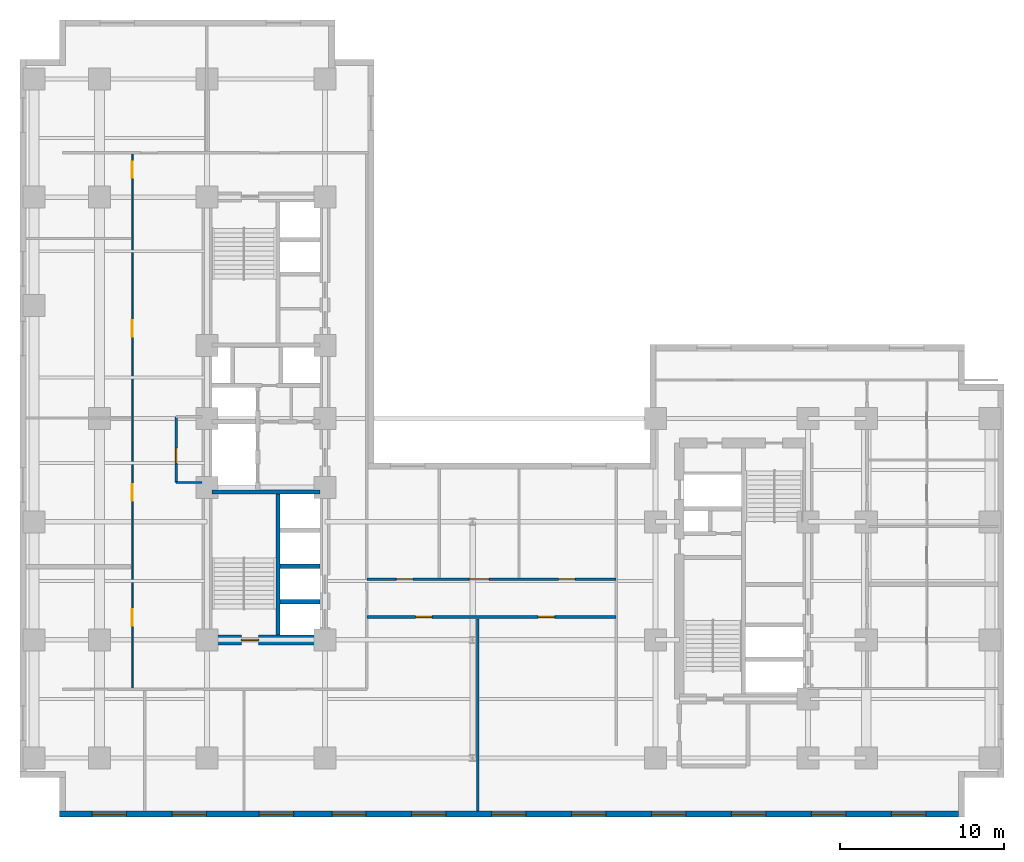
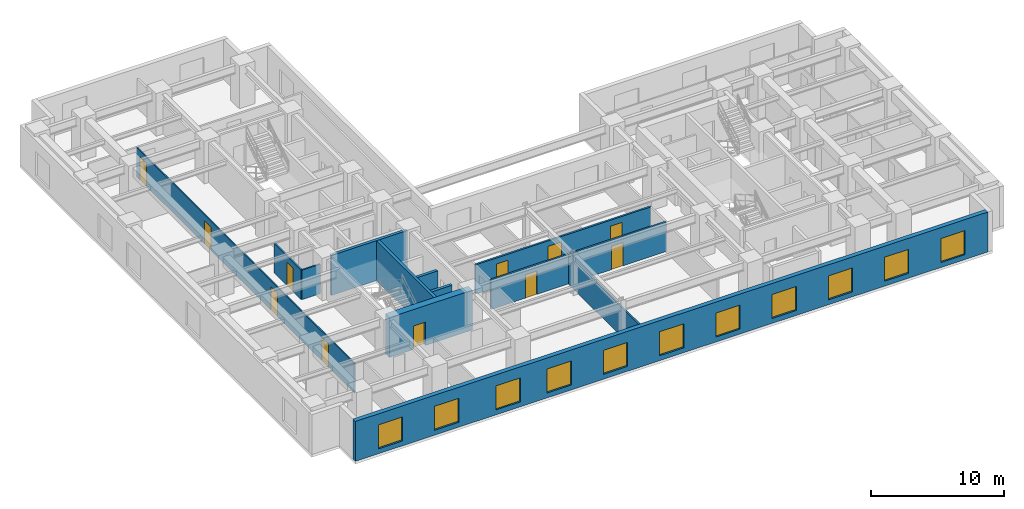
# One storey, part 3 of 10: 12 walls, 11 doors, 11 windows, 22 openings.
"""IFC4 building model written with IfcOpenShell, lengths in metres."""

from ifc_helpers import new_model, entity, si_unit, converted_unit, direction, frame, origin_with_axes, origin_2d_with_axis, place, context, subcontext, project, spatial, polyline, rectangle, outline, extrude, material, layer, layer_set, type_object, element, fill, save


model = new_model("IFC4")

# Units and contexts
model_context = context("Model", 3, precision=1e-05, world=origin_with_axes(), true_north=direction((0.0, 1.0)))
body_context = subcontext(model_context, "Body", "Model", "MODEL_VIEW")
ifc_project = project(units=[si_unit("LENGTHUNIT", "METRE"), si_unit("AREAUNIT", "SQUARE_METRE"), si_unit("VOLUMEUNIT", "CUBIC_METRE"), converted_unit("PLANEANGLEUNIT", "DEGREE", entity("IfcPlaneAngleMeasure", 0.017453292519943295), si_unit("PLANEANGLEUNIT", "RADIAN"), dimensions=[0, 0, 0, 0, 0, 0, 0]), si_unit("MASSUNIT", "GRAM", prefix="KILO"), si_unit("THERMODYNAMICTEMPERATUREUNIT", "KELVIN")], contexts=[model_context])

# Site, building, storey
site_placement = place(None, origin_with_axes())
site = spatial("IfcSite", under=ifc_project, at=site_placement, CompositionType="ELEMENT")
building_placement = place(site_placement, origin_with_axes())
building = spatial("IfcBuilding", under=site, at=building_placement, Name="Varnlund Millrace Tower", CompositionType="ELEMENT")
storey_placement = place(building_placement, frame((0.0, 0.0, 48.3), z_axis=(0.0, 0.0, 1.0), x_axis=(1.0, 0.0, 0.0)))
storey = spatial("IfcBuildingStorey", under=building, at=storey_placement, Name="L11", CompositionType="ELEMENT", Elevation=48.3)

# Wall, opening, door
ifc_material_1 = material(Name="Concrete C80/95", Category="concrete")
ifc_layer_1 = layer(ifc_material_1, 0.6, Name="Concrete C80/95")
ifc_layer_set_1 = layer_set([ifc_layer_1], Name="Concrete C80/95")
wall_type_1 = type_object("IfcWallType", Name="Type-CoreWall-Shear-600-C80", PredefinedType="SHEAR", material=ifc_layer_set_1)
wall_1_placement = place(storey_placement, frame((11.4, 10.8, 0.0), z_axis=(0.0, 0.0, 1.0), x_axis=(1.0, 0.0, 0.0)))
wall_1 = element("IfcWall", 1, at=wall_1_placement, inside=storey, type_object=wall_type_1, Name="Type-CoreWall-Shear-600-C80", PredefinedType="SHEAR", context=body_context, shape_type="SweptSolid", body=[
    extrude(outline(polyline([(0.0, -0.3), (7.2, -0.3), (7.2, 0.3), (0.0, 0.3), (0.0, -0.3)])), origin_with_axes(), (0.0, 0.0, 1.0), 3.66),
])
opening_1_placement = place(wall_1_placement, frame((2.625, 0.0, 0.0), z_axis=(0.0, 0.0, 1.0), x_axis=(1.0, 0.0, 0.0)))
opening_1 = element("IfcOpeningElement", 2, at=opening_1_placement, cuts=wall_1, Name="Opening L11:DR-STA1", PredefinedType="OPENING", context=body_context, shape_type="SweptSolid", body=[
    extrude(rectangle(XDim=1.05, YDim=0.62, at=origin_2d_with_axis()), origin_with_axes(), (0.0, 0.0, 1.0), 2.15),
])
ifc_material_2 = material(Name="Fire-rated hollow steel door", Category="steel")
door_type_1 = type_object("IfcDoorType", Name="Type-FireDoor-Stair-1050X2150", OperationType="NOTDEFINED", PredefinedType="DOOR", material=ifc_material_2)
door_1_placement = place(wall_1_placement, frame((2.625, 0.0, 0.0), z_axis=(0.0, 0.0, 1.0), x_axis=(1.0, 0.0, 0.0)))
door_1 = element("IfcDoor", 3, at=door_1_placement, inside=storey, type_object=door_type_1, Name="Type-FireDoor-Stair-1050X2150", OperationType="SINGLE_SWING_LEFT", OverallHeight=2.15, OverallWidth=1.05, PredefinedType="DOOR", context=body_context, shape_type="SweptSolid", body=[
    extrude(rectangle(XDim=1.05, YDim=0.09, at=origin_2d_with_axis()), origin_with_axes(), (0.0, 0.0, 1.0), 2.15),
])
fill(opening_1, door_1)

# Wall, openings, windows
ifc_material_3 = material(Name="Precast concrete C50/60", Category="concrete")
ifc_layer_2 = layer(ifc_material_3, 0.38, Name="Precast concrete C50/60")
ifc_layer_set_2 = layer_set([ifc_layer_2], Name="Precast concrete C50/60")
wall_type_2 = type_object("IfcWallType", Name="Type-ExtWall-Precast-Tube-380", PredefinedType="SOLIDWALL", material=ifc_layer_set_2)
wall_2_placement = place(storey_placement, frame((57.22, 0.19, 0.0), z_axis=(0.0, 0.0, 1.0), x_axis=(-1.0, 0.0, 0.0)))
wall_2 = element("IfcWall", 4, at=wall_2_placement, inside=storey, type_object=wall_type_2, Name="Type-ExtWall-Precast-Tube-380", PredefinedType="SOLIDWALL", context=body_context, shape_type="SweptSolid", body=[
    extrude(outline(polyline([(0.0, -0.19), (54.82, -0.19), (54.82, 0.19), (0.0, 0.19), (0.0, -0.19)])), origin_with_axes(), (0.0, 0.0, 1.0), 3.66),
])
opening_2_placement = place(wall_2_placement, frame((3.037, 0.0, 0.45), z_axis=(0.0, 0.0, 1.0), x_axis=(1.0, 0.0, 0.0)))
opening_2 = element("IfcOpeningElement", 5, at=opening_2_placement, cuts=wall_2, Name="Opening L11:WN-05", PredefinedType="OPENING", context=body_context, shape_type="SweptSolid", body=[
    extrude(rectangle(XDim=2.1, YDim=0.4, at=origin_2d_with_axis()), origin_with_axes(), (0.0, 0.0, 1.0), 2.2),
])
opening_3_placement = place(wall_2_placement, frame((7.912, 0.0, 0.45), z_axis=(0.0, 0.0, 1.0), x_axis=(1.0, 0.0, 0.0)))
opening_3 = element("IfcOpeningElement", 6, at=opening_3_placement, cuts=wall_2, Name="Opening L11:WN-06", PredefinedType="OPENING", context=body_context, shape_type="SweptSolid", body=[
    extrude(rectangle(XDim=2.1, YDim=0.4, at=origin_2d_with_axis()), origin_with_axes(), (0.0, 0.0, 1.0), 2.2),
])
opening_4_placement = place(wall_2_placement, frame((12.786, 0.0, 0.45), z_axis=(0.0, 0.0, 1.0), x_axis=(1.0, 0.0, 0.0)))
opening_4 = element("IfcOpeningElement", 7, at=opening_4_placement, cuts=wall_2, Name="Opening L11:WN-07", PredefinedType="OPENING", context=body_context, shape_type="SweptSolid", body=[
    extrude(rectangle(XDim=2.1, YDim=0.4, at=origin_2d_with_axis()), origin_with_axes(), (0.0, 0.0, 1.0), 2.2),
])
opening_5_placement = place(wall_2_placement, frame((17.661, 0.0, 0.45), z_axis=(0.0, 0.0, 1.0), x_axis=(1.0, 0.0, 0.0)))
opening_5 = element("IfcOpeningElement", 8, at=opening_5_placement, cuts=wall_2, Name="Opening L11:WN-08", PredefinedType="OPENING", context=body_context, shape_type="SweptSolid", body=[
    extrude(rectangle(XDim=2.1, YDim=0.4, at=origin_2d_with_axis()), origin_with_axes(), (0.0, 0.0, 1.0), 2.2),
])
opening_6_placement = place(wall_2_placement, frame((22.535, 0.0, 0.45), z_axis=(0.0, 0.0, 1.0), x_axis=(1.0, 0.0, 0.0)))
opening_6 = element("IfcOpeningElement", 9, at=opening_6_placement, cuts=wall_2, Name="Opening L11:WN-09", PredefinedType="OPENING", context=body_context, shape_type="SweptSolid", body=[
    extrude(rectangle(XDim=2.1, YDim=0.4, at=origin_2d_with_axis()), origin_with_axes(), (0.0, 0.0, 1.0), 2.2),
])
opening_7_placement = place(wall_2_placement, frame((27.41, 0.0, 0.45), z_axis=(0.0, 0.0, 1.0), x_axis=(1.0, 0.0, 0.0)))
opening_7 = element("IfcOpeningElement", 10, at=opening_7_placement, cuts=wall_2, Name="Opening L11:WN-10", PredefinedType="OPENING", context=body_context, shape_type="SweptSolid", body=[
    extrude(rectangle(XDim=2.1, YDim=0.4, at=origin_2d_with_axis()), origin_with_axes(), (0.0, 0.0, 1.0), 2.2),
])
opening_8_placement = place(wall_2_placement, frame((32.285, 0.0, 0.45), z_axis=(0.0, 0.0, 1.0), x_axis=(1.0, 0.0, 0.0)))
opening_8 = element("IfcOpeningElement", 11, at=opening_8_placement, cuts=wall_2, Name="Opening L11:WN-11", PredefinedType="OPENING", context=body_context, shape_type="SweptSolid", body=[
    extrude(rectangle(XDim=2.1, YDim=0.4, at=origin_2d_with_axis()), origin_with_axes(), (0.0, 0.0, 1.0), 2.2),
])
opening_9_placement = place(wall_2_placement, frame((37.159, 0.0, 0.45), z_axis=(0.0, 0.0, 1.0), x_axis=(1.0, 0.0, 0.0)))
opening_9 = element("IfcOpeningElement", 12, at=opening_9_placement, cuts=wall_2, Name="Opening L11:WN-12", PredefinedType="OPENING", context=body_context, shape_type="SweptSolid", body=[
    extrude(rectangle(XDim=2.1, YDim=0.4, at=origin_2d_with_axis()), origin_with_axes(), (0.0, 0.0, 1.0), 2.2),
])
opening_10_placement = place(wall_2_placement, frame((41.584, 0.0, 0.45), z_axis=(0.0, 0.0, 1.0), x_axis=(1.0, 0.0, 0.0)))
opening_10 = element("IfcOpeningElement", 13, at=opening_10_placement, cuts=wall_2, Name="Opening L11:WN-13", PredefinedType="OPENING", context=body_context, shape_type="SweptSolid", body=[
    extrude(rectangle(XDim=2.1, YDim=0.4, at=origin_2d_with_axis()), origin_with_axes(), (0.0, 0.0, 1.0), 2.2),
])
opening_11_placement = place(wall_2_placement, frame((46.908, 0.0, 0.45), z_axis=(0.0, 0.0, 1.0), x_axis=(1.0, 0.0, 0.0)))
opening_11 = element("IfcOpeningElement", 14, at=opening_11_placement, cuts=wall_2, Name="Opening L11:WN-14", PredefinedType="OPENING", context=body_context, shape_type="SweptSolid", body=[
    extrude(rectangle(XDim=2.1, YDim=0.4, at=origin_2d_with_axis()), origin_with_axes(), (0.0, 0.0, 1.0), 2.2),
])
opening_12_placement = place(wall_2_placement, frame((51.783, 0.0, 0.45), z_axis=(0.0, 0.0, 1.0), x_axis=(1.0, 0.0, 0.0)))
opening_12 = element("IfcOpeningElement", 15, at=opening_12_placement, cuts=wall_2, Name="Opening L11:WN-15", PredefinedType="OPENING", context=body_context, shape_type="SweptSolid", body=[
    extrude(rectangle(XDim=2.1, YDim=0.4, at=origin_2d_with_axis()), origin_with_axes(), (0.0, 0.0, 1.0), 2.2),
])
ifc_material_4 = material(Name="Argon low-e triple glazing in thermally broken bronze frame", Category="glass")
window_type = type_object("IfcWindowType", Name="Type-Window-Punched-2100X2200", PartitioningType="SINGLE_PANEL", PredefinedType="WINDOW", material=ifc_material_4)
window_1_placement = place(wall_2_placement, frame((3.037, 0.0, 0.45), z_axis=(0.0, 0.0, 1.0), x_axis=(1.0, 0.0, 0.0)))
window_1 = element("IfcWindow", 16, at=window_1_placement, inside=storey, type_object=window_type, Name="Type-Window-Punched-2100X2200", OverallHeight=2.2, OverallWidth=2.1, PredefinedType="WINDOW", context=body_context, shape_type="SweptSolid", body=[
    extrude(rectangle(XDim=2.1, YDim=0.09, at=origin_2d_with_axis()), origin_with_axes(), (0.0, 0.0, 1.0), 2.2),
])
fill(opening_2, window_1)
window_2_placement = place(wall_2_placement, frame((7.912, 0.0, 0.45), z_axis=(0.0, 0.0, 1.0), x_axis=(1.0, 0.0, 0.0)))
window_2 = element("IfcWindow", 17, at=window_2_placement, inside=storey, type_object=window_type, Name="Type-Window-Punched-2100X2200", OverallHeight=2.2, OverallWidth=2.1, PredefinedType="WINDOW", context=body_context, shape_type="SweptSolid", body=[
    extrude(rectangle(XDim=2.1, YDim=0.09, at=origin_2d_with_axis()), origin_with_axes(), (0.0, 0.0, 1.0), 2.2),
])
fill(opening_3, window_2)
window_3_placement = place(wall_2_placement, frame((12.786, 0.0, 0.45), z_axis=(0.0, 0.0, 1.0), x_axis=(1.0, 0.0, 0.0)))
window_3 = element("IfcWindow", 18, at=window_3_placement, inside=storey, type_object=window_type, Name="Type-Window-Punched-2100X2200", OverallHeight=2.2, OverallWidth=2.1, PredefinedType="WINDOW", context=body_context, shape_type="SweptSolid", body=[
    extrude(rectangle(XDim=2.1, YDim=0.09, at=origin_2d_with_axis()), origin_with_axes(), (0.0, 0.0, 1.0), 2.2),
])
fill(opening_4, window_3)
window_4_placement = place(wall_2_placement, frame((17.661, 0.0, 0.45), z_axis=(0.0, 0.0, 1.0), x_axis=(1.0, 0.0, 0.0)))
window_4 = element("IfcWindow", 19, at=window_4_placement, inside=storey, type_object=window_type, Name="Type-Window-Punched-2100X2200", OverallHeight=2.2, OverallWidth=2.1, PredefinedType="WINDOW", context=body_context, shape_type="SweptSolid", body=[
    extrude(rectangle(XDim=2.1, YDim=0.09, at=origin_2d_with_axis()), origin_with_axes(), (0.0, 0.0, 1.0), 2.2),
])
fill(opening_5, window_4)
window_5_placement = place(wall_2_placement, frame((22.535, 0.0, 0.45), z_axis=(0.0, 0.0, 1.0), x_axis=(1.0, 0.0, 0.0)))
window_5 = element("IfcWindow", 20, at=window_5_placement, inside=storey, type_object=window_type, Name="Type-Window-Punched-2100X2200", OverallHeight=2.2, OverallWidth=2.1, PredefinedType="WINDOW", context=body_context, shape_type="SweptSolid", body=[
    extrude(rectangle(XDim=2.1, YDim=0.09, at=origin_2d_with_axis()), origin_with_axes(), (0.0, 0.0, 1.0), 2.2),
])
fill(opening_6, window_5)
window_6_placement = place(wall_2_placement, frame((27.41, 0.0, 0.45), z_axis=(0.0, 0.0, 1.0), x_axis=(1.0, 0.0, 0.0)))
window_6 = element("IfcWindow", 21, at=window_6_placement, inside=storey, type_object=window_type, Name="Type-Window-Punched-2100X2200", OverallHeight=2.2, OverallWidth=2.1, PredefinedType="WINDOW", context=body_context, shape_type="SweptSolid", body=[
    extrude(rectangle(XDim=2.1, YDim=0.09, at=origin_2d_with_axis()), origin_with_axes(), (0.0, 0.0, 1.0), 2.2),
])
fill(opening_7, window_6)
window_7_placement = place(wall_2_placement, frame((32.285, 0.0, 0.45), z_axis=(0.0, 0.0, 1.0), x_axis=(1.0, 0.0, 0.0)))
window_7 = element("IfcWindow", 22, at=window_7_placement, inside=storey, type_object=window_type, Name="Type-Window-Punched-2100X2200", OverallHeight=2.2, OverallWidth=2.1, PredefinedType="WINDOW", context=body_context, shape_type="SweptSolid", body=[
    extrude(rectangle(XDim=2.1, YDim=0.09, at=origin_2d_with_axis()), origin_with_axes(), (0.0, 0.0, 1.0), 2.2),
])
fill(opening_8, window_7)
window_8_placement = place(wall_2_placement, frame((37.159, 0.0, 0.45), z_axis=(0.0, 0.0, 1.0), x_axis=(1.0, 0.0, 0.0)))
window_8 = element("IfcWindow", 23, at=window_8_placement, inside=storey, type_object=window_type, Name="Type-Window-Punched-2100X2200", OverallHeight=2.2, OverallWidth=2.1, PredefinedType="WINDOW", context=body_context, shape_type="SweptSolid", body=[
    extrude(rectangle(XDim=2.1, YDim=0.09, at=origin_2d_with_axis()), origin_with_axes(), (0.0, 0.0, 1.0), 2.2),
])
fill(opening_9, window_8)
window_9_placement = place(wall_2_placement, frame((41.584, 0.0, 0.45), z_axis=(0.0, 0.0, 1.0), x_axis=(1.0, 0.0, 0.0)))
window_9 = element("IfcWindow", 24, at=window_9_placement, inside=storey, type_object=window_type, Name="Type-Window-Punched-2100X2200", OverallHeight=2.2, OverallWidth=2.1, PredefinedType="WINDOW", context=body_context, shape_type="SweptSolid", body=[
    extrude(rectangle(XDim=2.1, YDim=0.09, at=origin_2d_with_axis()), origin_with_axes(), (0.0, 0.0, 1.0), 2.2),
])
fill(opening_10, window_9)
window_10_placement = place(wall_2_placement, frame((46.908, 0.0, 0.45), z_axis=(0.0, 0.0, 1.0), x_axis=(1.0, 0.0, 0.0)))
window_10 = element("IfcWindow", 25, at=window_10_placement, inside=storey, type_object=window_type, Name="Type-Window-Punched-2100X2200", OverallHeight=2.2, OverallWidth=2.1, PredefinedType="WINDOW", context=body_context, shape_type="SweptSolid", body=[
    extrude(rectangle(XDim=2.1, YDim=0.09, at=origin_2d_with_axis()), origin_with_axes(), (0.0, 0.0, 1.0), 2.2),
])
fill(opening_11, window_10)
window_11_placement = place(wall_2_placement, frame((51.783, 0.0, 0.45), z_axis=(0.0, 0.0, 1.0), x_axis=(1.0, 0.0, 0.0)))
window_11 = element("IfcWindow", 26, at=window_11_placement, inside=storey, type_object=window_type, Name="Type-Window-Punched-2100X2200", OverallHeight=2.2, OverallWidth=2.1, PredefinedType="WINDOW", context=body_context, shape_type="SweptSolid", body=[
    extrude(rectangle(XDim=2.1, YDim=0.09, at=origin_2d_with_axis()), origin_with_axes(), (0.0, 0.0, 1.0), 2.2),
])
fill(opening_12, window_11)

# Wall, openings, doors
ifc_material_5 = material(Name="Fire-rated gypsum board on cold-formed steel framing", Category="steel")
ifc_layer_3 = layer(ifc_material_5, 0.16, Name="Fire-rated gypsum board on cold-formed steel framing")
ifc_layer_set_3 = layer_set([ifc_layer_3], Name="Fire-rated gypsum board on cold-formed steel framing")
wall_type_3 = type_object("IfcWallType", Name="Type-Partition-Corridor-160", PredefinedType="PARTITIONING", material=ifc_layer_set_3)
wall_3_placement = place(storey_placement, frame((21.15, 12.2, 0.0), z_axis=(0.0, 0.0, 1.0), x_axis=(1.0, 0.0, 0.0)))
wall_3 = element("IfcWall", 27, at=wall_3_placement, inside=storey, type_object=wall_type_3, Name="Type-Partition-Corridor-160", PredefinedType="PARTITIONING", context=body_context, shape_type="SweptSolid", body=[
    extrude(outline(polyline([(0.0, -0.08), (15.2, -0.08), (15.2, 0.08), (0.0, 0.08), (0.0, -0.08)])), origin_with_axes(), (0.0, 0.0, 1.0), 2.7),
])
opening_13_placement = place(wall_3_placement, frame((3.4765, 0.0, 0.0), z_axis=(0.0, 0.0, 1.0), x_axis=(1.0, 0.0, 0.0)))
opening_13 = element("IfcOpeningElement", 28, at=opening_13_placement, cuts=wall_3, Name="Opening L11:DR-KNS-01", PredefinedType="OPENING", context=body_context, shape_type="SweptSolid", body=[
    extrude(rectangle(XDim=1.0, YDim=0.18, at=origin_2d_with_axis()), origin_with_axes(), (0.0, 0.0, 1.0), 2.15),
])
opening_14_placement = place(wall_3_placement, frame((10.9465, 0.0, 0.0), z_axis=(0.0, 0.0, 1.0), x_axis=(1.0, 0.0, 0.0)))
opening_14 = element("IfcOpeningElement", 29, at=opening_14_placement, cuts=wall_3, Name="Opening L11:DR-KNS-02", PredefinedType="OPENING", context=body_context, shape_type="SweptSolid", body=[
    extrude(rectangle(XDim=1.0, YDim=0.18, at=origin_2d_with_axis()), origin_with_axes(), (0.0, 0.0, 1.0), 2.15),
])
ifc_material_6 = material(Name="Solid-core white oak and bronze frame door")
door_type_2 = type_object("IfcDoorType", Name="Type-IntDoor-Office-1000X2150", OperationType="NOTDEFINED", PredefinedType="DOOR", material=ifc_material_6)
door_2_placement = place(wall_3_placement, frame((3.4765, 0.0, 0.0), z_axis=(0.0, 0.0, 1.0), x_axis=(1.0, 0.0, 0.0)))
door_2 = element("IfcDoor", 30, at=door_2_placement, inside=storey, type_object=door_type_2, Name="Type-IntDoor-Office-1000X2150", OperationType="SINGLE_SWING_LEFT", OverallHeight=2.15, OverallWidth=1.0, PredefinedType="DOOR", context=body_context, shape_type="SweptSolid", body=[
    extrude(rectangle(XDim=1.0, YDim=0.09, at=origin_2d_with_axis()), origin_with_axes(), (0.0, 0.0, 1.0), 2.15),
])
fill(opening_13, door_2)
door_3_placement = place(wall_3_placement, frame((10.9465, 0.0, 0.0), z_axis=(0.0, 0.0, 1.0), x_axis=(1.0, 0.0, 0.0)))
door_3 = element("IfcDoor", 31, at=door_3_placement, inside=storey, type_object=door_type_2, Name="Type-IntDoor-Office-1000X2150", OperationType="SINGLE_SWING_RIGHT", OverallHeight=2.15, OverallWidth=1.0, PredefinedType="DOOR", context=body_context, shape_type="SweptSolid", body=[
    extrude(rectangle(XDim=1.0, YDim=0.09, at=origin_2d_with_axis()), origin_with_axes(), (0.0, 0.0, 1.0), 2.15),
])
fill(opening_14, door_3)

wall_4_placement = place(storey_placement, frame((21.15, 14.5, 0.0), z_axis=(0.0, 0.0, 1.0), x_axis=(1.0, 0.0, 0.0)))
wall_4 = element("IfcWall", 32, at=wall_4_placement, inside=storey, type_object=wall_type_3, Name="Type-Partition-Corridor-160", PredefinedType="PARTITIONING", context=body_context, shape_type="SweptSolid", body=[
    extrude(outline(polyline([(0.0, -0.08), (15.2, -0.08), (15.2, 0.08), (0.0, 0.08), (0.0, -0.08)])), origin_with_axes(), (0.0, 0.0, 1.0), 2.7),
])
opening_15_placement = place(wall_4_placement, frame((2.3025, 0.0, 0.0), z_axis=(0.0, 0.0, 1.0), x_axis=(1.0, 0.0, 0.0)))
opening_15 = element("IfcOpeningElement", 33, at=opening_15_placement, cuts=wall_4, Name="Opening L11:DR-KN-01", PredefinedType="OPENING", context=body_context, shape_type="SweptSolid", body=[
    extrude(rectangle(XDim=1.0, YDim=0.18, at=origin_2d_with_axis()), origin_with_axes(), (0.0, 0.0, 1.0), 2.15),
])
opening_16_placement = place(wall_4_placement, frame((6.851, 0.0, 0.0), z_axis=(0.0, 0.0, 1.0), x_axis=(1.0, 0.0, 0.0)))
opening_16 = element("IfcOpeningElement", 34, at=opening_16_placement, cuts=wall_4, Name="Opening L11:DR-KN-02", PredefinedType="OPENING", context=body_context, shape_type="SweptSolid", body=[
    extrude(rectangle(XDim=1.2, YDim=0.18, at=origin_2d_with_axis()), origin_with_axes(), (0.0, 0.0, 1.0), 2.2),
])
opening_17_placement = place(wall_4_placement, frame((12.1985, 0.0, 0.0), z_axis=(0.0, 0.0, 1.0), x_axis=(1.0, 0.0, 0.0)))
opening_17 = element("IfcOpeningElement", 35, at=opening_17_placement, cuts=wall_4, Name="Opening L11:DR-KN-03", PredefinedType="OPENING", context=body_context, shape_type="SweptSolid", body=[
    extrude(rectangle(XDim=1.0, YDim=0.18, at=origin_2d_with_axis()), origin_with_axes(), (0.0, 0.0, 1.0), 2.15),
])
ifc_material_7 = material(Name="Wide executive white oak acoustic door")
door_type_3 = type_object("IfcDoorType", Name="Type-IntDoor-Exec-1200X2200", OperationType="NOTDEFINED", PredefinedType="DOOR", material=ifc_material_7)
door_4_placement = place(wall_4_placement, frame((6.851, 0.0, 0.0), z_axis=(0.0, 0.0, 1.0), x_axis=(1.0, 0.0, 0.0)))
door_4 = element("IfcDoor", 36, at=door_4_placement, inside=storey, type_object=door_type_3, Name="Type-IntDoor-Exec-1200X2200", OperationType="SINGLE_SWING_RIGHT", OverallHeight=2.2, OverallWidth=1.2, PredefinedType="DOOR", context=body_context, shape_type="SweptSolid", body=[
    extrude(rectangle(XDim=1.2, YDim=0.09, at=origin_2d_with_axis()), origin_with_axes(), (0.0, 0.0, 1.0), 2.2),
])
fill(opening_16, door_4)
door_5_placement = place(wall_4_placement, frame((2.3025, 0.0, 0.0), z_axis=(0.0, 0.0, 1.0), x_axis=(1.0, 0.0, 0.0)))
door_5 = element("IfcDoor", 37, at=door_5_placement, inside=storey, type_object=door_type_2, Name="Type-IntDoor-Office-1000X2150", OperationType="SINGLE_SWING_LEFT", OverallHeight=2.15, OverallWidth=1.0, PredefinedType="DOOR", context=body_context, shape_type="SweptSolid", body=[
    extrude(rectangle(XDim=1.0, YDim=0.09, at=origin_2d_with_axis()), origin_with_axes(), (0.0, 0.0, 1.0), 2.15),
])
fill(opening_15, door_5)
door_6_placement = place(wall_4_placement, frame((12.1985, 0.0, 0.0), z_axis=(0.0, 0.0, 1.0), x_axis=(1.0, 0.0, 0.0)))
door_6 = element("IfcDoor", 38, at=door_6_placement, inside=storey, type_object=door_type_2, Name="Type-IntDoor-Office-1000X2150", OperationType="SINGLE_SWING_LEFT", OverallHeight=2.15, OverallWidth=1.0, PredefinedType="DOOR", context=body_context, shape_type="SweptSolid", body=[
    extrude(rectangle(XDim=1.0, YDim=0.09, at=origin_2d_with_axis()), origin_with_axes(), (0.0, 0.0, 1.0), 2.15),
])
fill(opening_17, door_6)

# Wall
ifc_material_8 = material(Name="Acoustic STC-50 gypsum board partition", Category="gypsum")
ifc_layer_4 = layer(ifc_material_8, 0.15, Name="Acoustic STC-50 gypsum board partition")
ifc_layer_set_4 = layer_set([ifc_layer_4], Name="Acoustic STC-50 gypsum board partition")
wall_type_4 = type_object("IfcWallType", Name="Type-Partition-Demising-150", PredefinedType="PARTITIONING", material=ifc_layer_set_4)
wall_5_placement = place(storey_placement, frame((27.923, 0.36, 0.0), z_axis=(0.0, 0.0, 1.0), x_axis=(0.0, 1.0, 0.0)))
element("IfcWall", 39, at=wall_5_placement, inside=storey, type_object=wall_type_4, Name="Type-Partition-Demising-150", PredefinedType="PARTITIONING", context=body_context, shape_type="SweptSolid", body=[
    extrude(outline(polyline([(0.0, -0.075), (11.72, -0.075), (11.72, 0.075), (0.0, 0.075), (0.0, -0.075)])), origin_with_axes(), (0.0, 0.0, 1.0), 2.7),
])

# Wall, openings, doors
ifc_material_9 = material(Name="Architectural bronze and acoustic glass office front", Category="glass")
ifc_layer_5 = layer(ifc_material_9, 0.1, Name="Architectural bronze and acoustic glass office front")
ifc_layer_set_5 = layer_set([ifc_layer_5], Name="Architectural bronze and acoustic glass office front")
wall_type_5 = type_object("IfcWallType", Name="Type-Partition-Glazed-100", PredefinedType="PARTITIONING", material=ifc_layer_set_5)
wall_6_placement = place(storey_placement, frame((6.85, 7.8, 0.0), z_axis=(0.0, 0.0, 1.0), x_axis=(0.0, 1.0, 0.0)))
wall_6 = element("IfcWall", 40, at=wall_6_placement, inside=storey, type_object=wall_type_5, Name="Type-Partition-Glazed-100", PredefinedType="PARTITIONING", context=body_context, shape_type="SweptSolid", body=[
    extrude(outline(polyline([(0.0, -0.05), (32.7, -0.05), (32.7, 0.05), (0.0, 0.05), (0.0, -0.05)])), origin_with_axes(), (0.0, 0.0, 1.0), 2.7),
])
opening_18_placement = place(wall_6_placement, frame((4.357, 0.0, 0.0), z_axis=(0.0, 0.0, 1.0), x_axis=(1.0, 0.0, 0.0)))
opening_18 = element("IfcOpeningElement", 41, at=opening_18_placement, cuts=wall_6, Name="Opening L11:DR-W-01", PredefinedType="OPENING", context=body_context, shape_type="SweptSolid", body=[
    extrude(rectangle(XDim=1.0, YDim=0.12, at=origin_2d_with_axis()), origin_with_axes(), (0.0, 0.0, 1.0), 2.15),
])
opening_19_placement = place(wall_6_placement, frame((11.996, 0.0, 0.0), z_axis=(0.0, 0.0, 1.0), x_axis=(1.0, 0.0, 0.0)))
opening_19 = element("IfcOpeningElement", 42, at=opening_19_placement, cuts=wall_6, Name="Opening L11:DR-W-02", PredefinedType="OPENING", context=body_context, shape_type="SweptSolid", body=[
    extrude(rectangle(XDim=1.0, YDim=0.12, at=origin_2d_with_axis()), origin_with_axes(), (0.0, 0.0, 1.0), 2.15),
])
opening_20_placement = place(wall_6_placement, frame((21.9995, 0.0, 0.0), z_axis=(0.0, 0.0, 1.0), x_axis=(1.0, 0.0, 0.0)))
opening_20 = element("IfcOpeningElement", 43, at=opening_20_placement, cuts=wall_6, Name="Opening L11:DR-W-03", PredefinedType="OPENING", context=body_context, shape_type="SweptSolid", body=[
    extrude(rectangle(XDim=1.0, YDim=0.12, at=origin_2d_with_axis()), origin_with_axes(), (0.0, 0.0, 1.0), 2.15),
])
opening_21_placement = place(wall_6_placement, frame((31.67, 0.0, 0.0), z_axis=(0.0, 0.0, 1.0), x_axis=(1.0, 0.0, 0.0)))
opening_21 = element("IfcOpeningElement", 44, at=opening_21_placement, cuts=wall_6, Name="Opening L11:DR-W-04", PredefinedType="OPENING", context=body_context, shape_type="SweptSolid", body=[
    extrude(rectangle(XDim=1.0, YDim=0.12, at=origin_2d_with_axis()), origin_with_axes(), (0.0, 0.0, 1.0), 2.15),
])
door_7_placement = place(wall_6_placement, frame((4.357, 0.0, 0.0), z_axis=(0.0, 0.0, 1.0), x_axis=(1.0, 0.0, 0.0)))
door_7 = element("IfcDoor", 45, at=door_7_placement, inside=storey, type_object=door_type_2, Name="Type-IntDoor-Office-1000X2150", OperationType="SINGLE_SWING_LEFT", OverallHeight=2.15, OverallWidth=1.0, PredefinedType="DOOR", context=body_context, shape_type="SweptSolid", body=[
    extrude(rectangle(XDim=1.0, YDim=0.06, at=origin_2d_with_axis()), origin_with_axes(), (0.0, 0.0, 1.0), 2.15),
])
fill(opening_18, door_7)
door_8_placement = place(wall_6_placement, frame((11.996, 0.0, 0.0), z_axis=(0.0, 0.0, 1.0), x_axis=(1.0, 0.0, 0.0)))
door_8 = element("IfcDoor", 46, at=door_8_placement, inside=storey, type_object=door_type_2, Name="Type-IntDoor-Office-1000X2150", OperationType="SINGLE_SWING_RIGHT", OverallHeight=2.15, OverallWidth=1.0, PredefinedType="DOOR", context=body_context, shape_type="SweptSolid", body=[
    extrude(rectangle(XDim=1.0, YDim=0.06, at=origin_2d_with_axis()), origin_with_axes(), (0.0, 0.0, 1.0), 2.15),
])
fill(opening_19, door_8)
door_9_placement = place(wall_6_placement, frame((21.9995, 0.0, 0.0), z_axis=(0.0, 0.0, 1.0), x_axis=(1.0, 0.0, 0.0)))
door_9 = element("IfcDoor", 47, at=door_9_placement, inside=storey, type_object=door_type_2, Name="Type-IntDoor-Office-1000X2150", OperationType="SINGLE_SWING_LEFT", OverallHeight=2.15, OverallWidth=1.0, PredefinedType="DOOR", context=body_context, shape_type="SweptSolid", body=[
    extrude(rectangle(XDim=1.0, YDim=0.06, at=origin_2d_with_axis()), origin_with_axes(), (0.0, 0.0, 1.0), 2.15),
])
fill(opening_20, door_9)
door_10_placement = place(wall_6_placement, frame((31.67, 0.0, 0.0), z_axis=(0.0, 0.0, 1.0), x_axis=(1.0, 0.0, 0.0)))
door_10 = element("IfcDoor", 48, at=door_10_placement, inside=storey, type_object=door_type_2, Name="Type-IntDoor-Office-1000X2150", OperationType="SINGLE_SWING_RIGHT", OverallHeight=2.15, OverallWidth=1.0, PredefinedType="DOOR", context=body_context, shape_type="SweptSolid", body=[
    extrude(rectangle(XDim=1.0, YDim=0.06, at=origin_2d_with_axis()), origin_with_axes(), (0.0, 0.0, 1.0), 2.15),
])
fill(opening_21, door_10)

# Wall, opening, door
ifc_material_10 = material(Name="Moisture-resistant gypsum restroom partition", Category="gypsum")
ifc_layer_6 = layer(ifc_material_10, 0.14, Name="Moisture-resistant gypsum restroom partition")
ifc_layer_set_6 = layer_set([ifc_layer_6], Name="Moisture-resistant gypsum restroom partition")
wall_type_6 = type_object("IfcWallType", Name="Type-Partition-Wet-140", PredefinedType="PARTITIONING", material=ifc_layer_set_6)
wall_7_placement = place(storey_placement, frame((9.52, 20.4, 0.0), z_axis=(0.0, 0.0, 1.0), x_axis=(0.0, 1.0, 0.0)))
wall_7 = element("IfcWall", 49, at=wall_7_placement, inside=storey, type_object=wall_type_6, Name="Type-Partition-Wet-140", PredefinedType="PARTITIONING", context=body_context, shape_type="SweptSolid", body=[
    extrude(outline(polyline([(0.0, -0.07), (4.0, -0.07), (4.0, 0.07), (0.0, 0.07), (0.0, -0.07)])), origin_with_axes(), (0.0, 0.0, 1.0), 2.7),
])
opening_22_placement = place(wall_7_placement, frame((1.625, 0.0, 0.0), z_axis=(0.0, 0.0, 1.0), x_axis=(1.0, 0.0, 0.0)))
opening_22 = element("IfcOpeningElement", 50, at=opening_22_placement, cuts=wall_7, Name="Opening L11:DR-CA-WCW", PredefinedType="OPENING", context=body_context, shape_type="SweptSolid", body=[
    extrude(rectangle(XDim=0.95, YDim=0.16, at=origin_2d_with_axis()), origin_with_axes(), (0.0, 0.0, 1.0), 2.15),
])
ifc_material_11 = material(Name="Solid-core acoustic office door")
door_type_4 = type_object("IfcDoorType", Name="Type-IntDoor-Tenant-950X2150", OperationType="NOTDEFINED", PredefinedType="DOOR", material=ifc_material_11)
door_11_placement = place(wall_7_placement, frame((1.625, 0.0, 0.0), z_axis=(0.0, 0.0, 1.0), x_axis=(1.0, 0.0, 0.0)))
door_11 = element("IfcDoor", 51, at=door_11_placement, inside=storey, type_object=door_type_4, Name="Type-IntDoor-Tenant-950X2150", OperationType="SINGLE_SWING_LEFT", OverallHeight=2.15, OverallWidth=0.95, PredefinedType="DOOR", context=body_context, shape_type="SweptSolid", body=[
    extrude(rectangle(XDim=0.95, YDim=0.084, at=origin_2d_with_axis()), origin_with_axes(), (0.0, 0.0, 1.0), 2.15),
])
fill(opening_22, door_11)

# Walls
wall_8_placement = place(storey_placement, frame((9.52, 20.4, 0.0), z_axis=(0.0, 0.0, 1.0), x_axis=(1.0, 0.0, 0.0)))
element("IfcWall", 52, at=wall_8_placement, inside=storey, type_object=wall_type_6, Name="Type-Partition-Wet-140", PredefinedType="PARTITIONING", context=body_context, shape_type="SweptSolid", body=[
    extrude(outline(polyline([(0.0, -0.07), (1.58, -0.07), (1.58, 0.07), (0.0, 0.07), (0.0, -0.07)])), origin_with_axes(), (0.0, 0.0, 1.0), 2.7),
])
ifc_material_12 = material(Name="Concrete C60/75", Category="concrete")
ifc_layer_7 = layer(ifc_material_12, 0.25, Name="Concrete C60/75")
ifc_layer_set_7 = layer_set([ifc_layer_7], Name="Concrete C60/75")
wall_type_7 = type_object("IfcWallType", Name="Type-ShaftWall-Fire-250", PredefinedType="SOLIDWALL", material=ifc_layer_set_7)
for number, where, z_axis, x_axis, name in (
    (53, (15.84, 13.13, 0.0), (0.0, 0.0, 1.0), (1.0, 0.0, 0.0), "Type-ShaftWall-Fire-250"),
    (54, (15.84, 15.29, 0.0), (0.0, 0.0, 1.0), (1.0, 0.0, 0.0), "Type-ShaftWall-Fire-250"),
):
    element("IfcWall", number, at=place(storey_placement, frame(where, z_axis=z_axis, x_axis=x_axis)), inside=storey, type_object=wall_type_7, Name=name, PredefinedType="SOLIDWALL", context=body_context, shape_type="SweptSolid", body=[
        extrude(outline(polyline([(0.0, -0.125), (2.46, -0.125), (2.46, 0.125), (0.0, 0.125), (0.0, -0.125)])), origin_with_axes(), (0.0, 0.0, 1.0), 2.7),
    ])
wall_type_8 = type_object("IfcWallType", Name="Type-StairWall-Shear-250", PredefinedType="SHEAR", material=ifc_layer_set_7)
wall_9_placement = place(storey_placement, frame((15.725, 11.1, 0.0), z_axis=(0.0, 0.0, 1.0), x_axis=(0.0, 1.0, 0.0)))
element("IfcWall", 55, at=wall_9_placement, inside=storey, type_object=wall_type_8, Name="Type-StairWall-Shear-250", PredefinedType="SHEAR", context=body_context, shape_type="SweptSolid", body=[
    extrude(outline(polyline([(0.0, -0.125), (8.6, -0.125), (8.6, 0.125), (0.0, 0.125), (0.0, -0.125)])), origin_with_axes(), (0.0, 0.0, 1.0), 3.66),
])
wall_10_placement = place(storey_placement, frame((11.7, 19.825, 0.0), z_axis=(0.0, 0.0, 1.0), x_axis=(1.0, 0.0, 0.0)))
element("IfcWall", 56, at=wall_10_placement, inside=storey, type_object=wall_type_8, Name="Type-StairWall-Shear-250", PredefinedType="SHEAR", context=body_context, shape_type="SweptSolid", body=[
    extrude(outline(polyline([(0.0, -0.125), (6.6, -0.125), (6.6, 0.125), (0.0, 0.125), (0.0, -0.125)])), origin_with_axes(), (0.0, 0.0, 1.0), 3.66),
])

save(model, "model.ifc")
